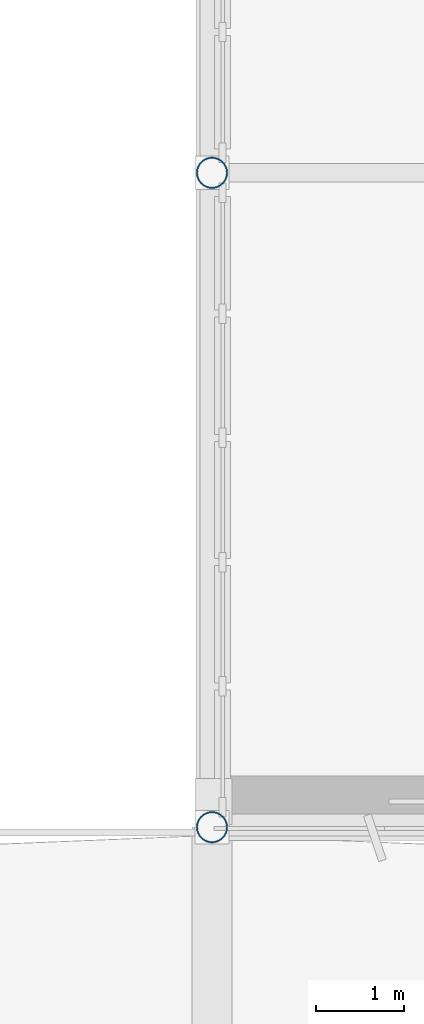
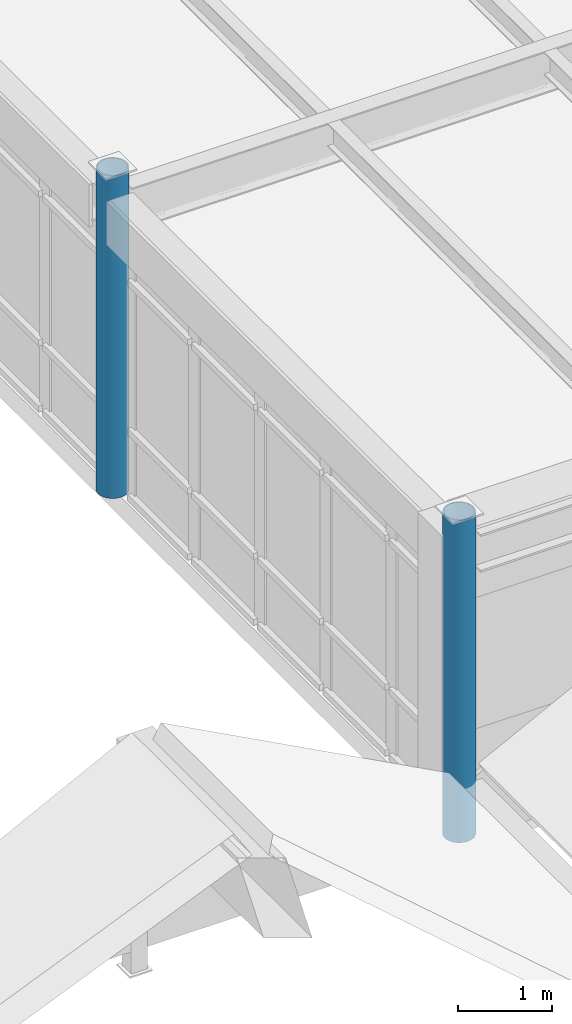
# One storey, part 1 of 63: 2 columns.
"""IFC4 building model written with IfcOpenShell, lengths in metres."""

import ifcopenshell
import ifcopenshell.guid

model = None  # the IFC model being written
_history = None  # IfcOwnerHistory: only IFC2X3 demands one
_inside = {}  # id of a spatial element -> (the spatial element, [elements in it])
_under = {}  # id of a project, library or spatial element -> (it, [spatial elements below it])
_declared = {}  # id of a project -> (the project, [libraries it declares])
_typed = {}  # id of a type object -> (the type object, [elements of that type])
_made_of = {}  # id of a material, layer set ... -> (it, [elements and type objects made of it])


def new_model(schema):
    """Start an empty IFC model of exactly this schema.

    Asked for "IFC4X3", IfcOpenShell would pick the latest addendum, in which some entities
    have other attributes; the version numbers below select the first issue.
    IFC2X3 requires an IfcOwnerHistory on every rooted entity: one is made here for all.
    """
    global model, _history
    if schema == "IFC4X3":
        model = ifcopenshell.file(schema_version=(4, 3, 0, 0))
    else:
        model = ifcopenshell.file(schema=schema)
    _inside.clear()
    _under.clear()
    _declared.clear()
    _typed.clear()
    _made_of.clear()
    _history = None
    if model.schema == "IFC2X3":
        org = make("IfcOrganization", Name="unknown")
        user = make(
            "IfcPersonAndOrganization",
            ThePerson=make("IfcPerson", FamilyName="unknown"),
            TheOrganization=org,
        )
        app = make(
            "IfcApplication",
            ApplicationDeveloper=org,
            Version="unknown",
            ApplicationFullName="unknown",
            ApplicationIdentifier="unknown",
        )
        _history = make(
            "IfcOwnerHistory",
            OwningUser=user,
            OwningApplication=app,
            ChangeAction="ADDED",
            CreationDate=0,
        )
    return model


def make(cls, **values):
    """One entity of the class cls with the attributes given. An attribute that is None is left unset."""
    return model.create_entity(
        cls, **{name: value for name, value in values.items() if value is not None}
    )


def rooted(cls, **values):
    """An entity with a GlobalId (a new one), such as an element, a storey or a relation."""
    return make(cls, GlobalId=ifcopenshell.guid.new(), OwnerHistory=_history, **values)


def si_unit(unit_type, name, prefix=None):
    """IfcSIUnit, for example si_unit("LENGTHUNIT", "METRE", prefix="MILLI")."""
    return make("IfcSIUnit", UnitType=unit_type, Prefix=prefix, Name=name)


def assignment(units):
    """IfcUnitAssignment: the units of a project."""
    return None if units is None else make("IfcUnitAssignment", Units=units)


def point(xyz):
    """IfcCartesianPoint."""
    return None if xyz is None else make("IfcCartesianPoint", Coordinates=xyz)


def direction(xyz):
    """IfcDirection."""
    return None if xyz is None else make("IfcDirection", DirectionRatios=xyz)


def frame(location, z_axis=None, x_axis=None):
    """IfcAxis2Placement3D, a coordinate frame: its origin and axes. An axis left out is left unset."""
    return make(
        "IfcAxis2Placement3D",
        Location=point(location),
        Axis=direction(z_axis),
        RefDirection=direction(x_axis),
    )


def frame_2d(location, x_axis=None):
    """IfcAxis2Placement2D, a coordinate frame in the plane: its origin and x axis."""
    return make(
        "IfcAxis2Placement2D", Location=point(location), RefDirection=direction(x_axis)
    )


def origin():
    """The frame at (0, 0, 0) with its axes left unset."""
    return frame((0.0, 0.0, 0.0))


def origin_2d():
    """The frame at (0, 0) in the plane with its x axis left unset."""
    return frame_2d((0.0, 0.0))


def place(relative_to, where):
    """IfcLocalPlacement: puts the frame where relative to a parent placement (None: the world)."""
    return make(
        "IfcLocalPlacement", PlacementRelTo=relative_to, RelativePlacement=where
    )


def context(
    kind, dimensions, precision=None, world=None, true_north=None, identifier=None
):
    """IfcGeometricRepresentationContext, for example the 3D "Model" context."""
    return make(
        "IfcGeometricRepresentationContext",
        ContextIdentifier=identifier,
        ContextType=kind,
        CoordinateSpaceDimension=dimensions,
        Precision=precision,
        WorldCoordinateSystem=world,
        TrueNorth=true_north,
    )


def subcontext(parent, identifier, kind, view, scale=None):
    """IfcGeometricRepresentationSubContext, for example "Body" below "Model"."""
    return make(
        "IfcGeometricRepresentationSubContext",
        ContextIdentifier=identifier,
        ContextType=kind,
        ParentContext=parent,
        TargetScale=scale,
        TargetView=view,
    )


def project(units=None, contexts=None):
    """IfcProject with its units and contexts."""
    return rooted(
        "IfcProject",
        Name="project",
        RepresentationContexts=contexts,
        UnitsInContext=assignment(units),
    )


def spatial(cls, under=None, at=None, **own):
    """A site, building, storey or space (cls), placed at a placement, below another one or the project."""
    s = rooted(cls, ObjectPlacement=at, **own)
    if under is not None:
        _under.setdefault(under.id(), (under, []))[1].append(s)
    return s


def profile(cls, at=None, kind="AREA", **sizes):
    """A parametric profile (cls). Its sizes go by their IFC names, for example OverallWidth=200.0."""
    return make(cls, ProfileType=kind, Position=at, **sizes)


def hollow_circle(**sizes):
    """IfcCircleHollowProfileDef."""
    return profile("IfcCircleHollowProfileDef", **sizes)


def extrude(swept, where, along, depth):
    """IfcExtrudedAreaSolid: the profile swept, set in the frame where, extruded along a direction by depth."""
    return make(
        "IfcExtrudedAreaSolid",
        SweptArea=swept,
        Position=where,
        ExtrudedDirection=direction(along),
        Depth=depth,
    )


def shape(context_of_items, identifier, shape_type, items):
    """IfcShapeRepresentation: the items that make up one representation, for example the "Body"."""
    return make(
        "IfcShapeRepresentation",
        ContextOfItems=context_of_items,
        RepresentationIdentifier=identifier,
        RepresentationType=shape_type,
        Items=items,
    )


def material(Name=None, Category=None):
    """IfcMaterial."""
    return make("IfcMaterial", Name=Name, Category=Category)


def material_profile(
    of_material, cross_section, Name=None, Category=None, Priority=None
):
    """IfcMaterialProfile: a cross section and its material."""
    return make(
        "IfcMaterialProfile",
        Name=Name,
        Material=of_material,
        Profile=cross_section,
        Priority=Priority,
        Category=Category,
    )


def profile_set(profiles, Name=None, composite=None):
    """IfcMaterialProfileSet."""
    return make(
        "IfcMaterialProfileSet",
        Name=Name,
        MaterialProfiles=profiles,
        CompositeProfile=composite,
    )


def made_of(thing, what):
    """Note that an element or type object is made of a material, layer set ...; save() writes the relation."""
    if what is not None:
        _made_of.setdefault(what.id(), (what, []))[1].append(thing)
    return thing


def type_object(cls, material=None, **own):
    """A type object (cls), such as IfcWallType, which elements share."""
    return made_of(rooted(cls, **own), material)


def element(
    cls,
    number,
    at=None,
    inside=None,
    cuts=None,
    type_object=None,
    material=None,
    context=None,
    identifier="Body",
    shape_type=None,
    held_by="IfcProductDefinitionShape",
    body=None,
    shapes=None,
    **own,
):
    """One element of the class cls, such as IfcWall. Its Tag is "e" and its number.

    at: its placement. inside: the storey or other place that contains it. cuts: it is an
    opening in that element (IfcRelVoidsElement). A single representation is given by context,
    identifier, shape_type and body (its items); several are given by shapes. held_by: the class
    of the entity that holds the representations. save() writes the other relations.
    """
    e = rooted(cls, Tag="e%d" % number, ObjectPlacement=at, **own)
    if body is not None:
        shapes = [shape(context, identifier, shape_type, body)]
    if shapes is not None:
        e.Representation = make(held_by, Representations=shapes)
    if inside is not None:
        _inside.setdefault(inside.id(), (inside, []))[1].append(e)
    if cuts is not None:
        rooted(
            "IfcRelVoidsElement", RelatingBuildingElement=cuts, RelatedOpeningElement=e
        )
    if type_object is not None:
        _typed.setdefault(type_object.id(), (type_object, []))[1].append(e)
    return made_of(e, material)


def aggregate(whole, parts):
    """IfcRelAggregates: a whole, such as a stair, and the parts it consists of."""
    return rooted("IfcRelAggregates", RelatingObject=whole, RelatedObjects=parts)


def save(model, path):
    """Write the relations noted so far, then the file.

    IfcRelAggregates (storeys below a building ...), IfcRelContainedInSpatialStructure (elements
    in a storey), IfcRelDefinesByType, IfcRelAssociatesMaterial and IfcRelDeclares: one each for
    every whole, place, type object, material and project.
    """
    for whole, parts in _under.values():
        aggregate(whole, parts)
    for where, things in _inside.values():
        rooted(
            "IfcRelContainedInSpatialStructure",
            RelatedElements=things,
            RelatingStructure=where,
        )
    for kind, things in _typed.values():
        rooted("IfcRelDefinesByType", RelatedObjects=things, RelatingType=kind)
    for what, things in _made_of.values():
        rooted("IfcRelAssociatesMaterial", RelatedObjects=things, RelatingMaterial=what)
    for by, libraries in _declared.values():
        rooted("IfcRelDeclares", RelatingContext=by, RelatedDefinitions=libraries)
    model.write(path)


model = new_model("IFC4")

# Units and contexts
model_context = context("Model", 3, precision=1e-05, world=origin(), true_north=direction((0.0, 1.0)))
body_context = subcontext(model_context, "Body", "Model", "MODEL_VIEW")
ifc_project = project(units=[si_unit("LENGTHUNIT", "METRE"), si_unit("AREAUNIT", "SQUARE_METRE"), si_unit("VOLUMEUNIT", "CUBIC_METRE"), si_unit("PLANEANGLEUNIT", "RADIAN"), si_unit("MASSUNIT", "GRAM", prefix="KILO")], contexts=[model_context])

# Site, building, storey
site_placement = place(None, origin())
site = spatial("IfcSite", under=ifc_project, at=site_placement, CompositionType="ELEMENT")
building_placement = place(site_placement, origin())
building = spatial("IfcBuilding", under=site, at=building_placement, Name="Valkorina Park Police Headquarters", CompositionType="ELEMENT")
storey_placement = place(building_placement, frame((0.0, 0.0, 9.89990234375)))
storey = spatial("IfcBuildingStorey", under=building, at=storey_placement, Name="L03", CompositionType="ELEMENT", Elevation=9.89990234375)

# Columns
ifc_material = material(Name="Steel S355", Category="steel")
ifc_material_profile = material_profile(ifc_material, hollow_circle(Radius=0.177734375, WallThickness=0.01611328125, at=origin_2d()), Name="CHS 355.6x16")
ifc_profile_set = profile_set([ifc_material_profile], Name="Steel S355")
column_type = type_object("IfcColumnType", Name="COL-S355-CHS355-EXT", PredefinedType="COLUMN", material=ifc_profile_set)
for number, where, z_axis, x_axis, name in (
    (1, (56.800048828125, 22.199951171875, 0.0), (0.0, 0.0, 1.0), (1.0, 0.0, 0.0), "L03 Column 0749"),
    (2, (56.800048828125, 29.60009765625, 0.0), (0.0, 0.0, 1.0), (1.0, 0.0, 0.0), "L03 Column 0750"),
):
    element("IfcColumn", number, at=place(storey_placement, frame(where, z_axis=z_axis, x_axis=x_axis)), inside=storey, type_object=column_type, Name=name, PredefinedType="COLUMN", context=body_context, shape_type="SweptSolid", body=[
        extrude(hollow_circle(Radius=0.177734375, WallThickness=0.01611328125, at=origin_2d()), origin(), (0.0, 0.0, 1.0), 4.2001953125),
    ])

save(model, "model.ifc")
